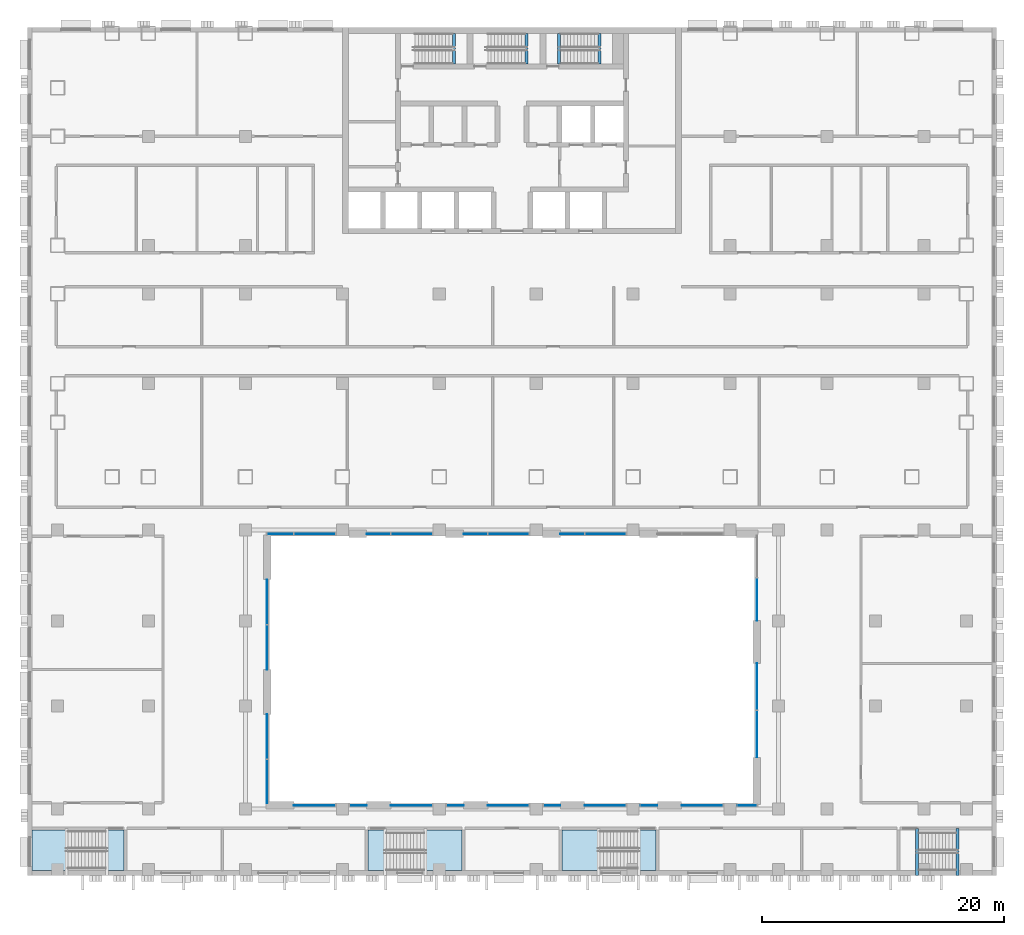
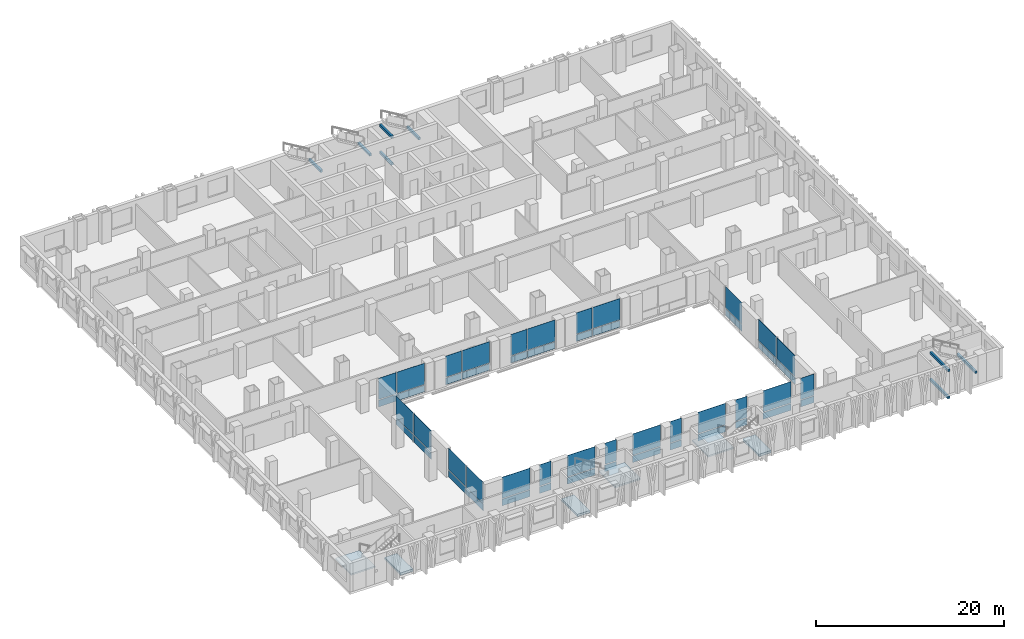
# One storey, part 5 of 24: 50 plates, 8 beams, 6 slabs, 21 elements without a shape of their own.
"""IFC4 building model written with IfcOpenShell, lengths in metres."""

from ifc_helpers import new_model, si_unit, direction, frame, origin, origin_2d, place, context, subcontext, project, spatial, polyline, rectangle, outline, extrude, material, layer, layer_set, material_profile, profile_set, type_object, element, aggregate, save


model = new_model("IFC4")

# Units and contexts
model_context = context("Model", 3, precision=1e-05, world=origin(), true_north=direction((0.0, 1.0)))
body_context = subcontext(model_context, "Body", "Model", "MODEL_VIEW")
ifc_project = project(units=[si_unit("LENGTHUNIT", "METRE"), si_unit("AREAUNIT", "SQUARE_METRE"), si_unit("VOLUMEUNIT", "CUBIC_METRE"), si_unit("PLANEANGLEUNIT", "RADIAN"), si_unit("MASSUNIT", "GRAM", prefix="KILO")], contexts=[model_context])

# Site, building, storey
site_placement = place(None, origin())
site = spatial("IfcSite", under=ifc_project, at=site_placement, CompositionType="ELEMENT")
building_placement = place(site_placement, origin())
building = spatial("IfcBuilding", under=site, at=building_placement, Name="Vidyagriha Tower", CompositionType="ELEMENT")
storey_placement = place(building_placement, frame((0.0, 0.0, 22.0)))
storey = spatial("IfcBuildingStorey", under=building, at=storey_placement, Name="L05", CompositionType="ELEMENT", Elevation=22.0)

# Beams
ifc_material_1 = material(Name="Concrete C40/50", Category="concrete")
ifc_material_profile = material_profile(ifc_material_1, rectangle(XDim=0.25, YDim=0.300048828125, at=origin_2d()), Name="Stair landing bearing beam 250x300")
ifc_profile_set = profile_set([ifc_material_profile], Name="Concrete C40/50")
beam_type = type_object("IfcBeamType", Name="Stair landing bearing beam 250x300", PredefinedType="BEAM", material=ifc_profile_set)
for number, where, z_axis, x_axis, name in (
    (1, (3.875, 16.949951171875, -0.449951171875), (0.0, 1.0, 0.0), (-1.0, 0.0, 0.0), "ST3 floor landing bearing beam L05"),
    (2, (3.875, 16.949951171875, 3.050048828125), (0.0, 1.0, 0.0), (-1.0, 0.0, 0.0), "ST3 floor landing bearing beam L06"),
    (3, (-4.794921875, 16.949951171875, 1.64990234375), (0.0, 1.0, 0.0), (-1.0, 0.0, 0.0), "ST1 landing bearing beam L05"),
    (4, (1.205078125, 16.949951171875, 1.64990234375), (0.0, 1.0, 0.0), (-1.0, 0.0, 0.0), "ST2 landing bearing beam L05"),
    (5, (7.205078125, 16.949951171875, 1.64990234375), (0.0, 1.0, 0.0), (-1.0, 0.0, 0.0), "ST3 landing bearing beam L05"),
):
    element("IfcBeam", number, at=place(storey_placement, frame(where, z_axis=z_axis, x_axis=x_axis)), inside=storey, type_object=beam_type, Name=name, PredefinedType="BEAM", context=body_context, shape_type="SweptSolid", body=[
        extrude(rectangle(XDim=0.25, YDim=0.300048828125, at=origin_2d()), origin(), (0.0, 0.0, 1.0), 2.550048828125),
    ])
for number, where, z_axis, x_axis, name in (
    (6, (33.419921875, -50.0, -0.449951171875), (0.0, 1.0, 0.0), (-1.0, 0.0, 0.0), "PS2 floor landing bearing beam L05"),
    (7, (36.760009765625, -50.0, 1.64990234375), (0.0, 1.0, 0.0), (-1.0, 0.0, 0.0), "PS2 landing bearing beam L05"),
    (8, (33.419921875, -50.0, 3.050048828125), (0.0, 1.0, 0.0), (-1.0, 0.0, 0.0), "PS2 floor landing bearing beam L06"),
):
    element("IfcBeam", number, at=place(storey_placement, frame(where, z_axis=z_axis, x_axis=x_axis)), inside=storey, type_object=beam_type, Name=name, PredefinedType="BEAM", context=body_context, shape_type="SweptSolid", body=[
        extrude(rectangle(XDim=0.25, YDim=0.300048828125, at=origin_2d()), origin(), (0.0, 0.0, 1.0), 3.89990234375),
    ])

# Curtain wall, plate
ifc_material_2 = material(Name="Aluminium and glass curtain wall", Category="aluminium")
curtain_wall_type = type_object("IfcCurtainWallType", Name="Atrium screen curtain wall", PredefinedType="USERDEFINED", material=ifc_material_2)
curtain_wall_1_placement = place(storey_placement, origin())
curtain_wall_1 = element("IfcCurtainWall", 9, at=curtain_wall_1_placement, inside=storey, type_object=curtain_wall_type, Name="CW6 atrium screen", ObjectType="UNITISED", PredefinedType="USERDEFINED")
ifc_material_3 = material(Name="Glass dark ceramic-fritted spandrel", Category="glass")
ifc_layer_1 = layer(ifc_material_3, 0.0400390625)
ifc_layer_set_1 = layer_set([ifc_layer_1], Name="Glass dark ceramic-fritted spandrel")
plate_type_1 = type_object("IfcPlateType", Name="Ceramic-fritted spandrel panel", PredefinedType="CURTAIN_PANEL", material=ifc_layer_set_1)
plate_1_placement = place(storey_placement, frame((19.405029296875, -44.199951171875, 0.0), z_axis=(0.0, 0.0, 1.0), x_axis=(-1.0, 0.0, 0.0)))
plate_1 = element("IfcPlate", 10, at=plate_1_placement, type_object=plate_type_1, Name="CW6 panel 1.1", PredefinedType="CURTAIN_PANEL", context=body_context, shape_type="SweptSolid", body=[
    extrude(rectangle(XDim=1.610107421875, YDim=0.0400390625, at=origin_2d()), origin(), (0.0, 0.0, 1.0), 0.85009765625),
])

curtain_wall_2_placement = place(storey_placement, origin())
curtain_wall_2 = element("IfcCurtainWall", 11, at=curtain_wall_2_placement, inside=storey, type_object=curtain_wall_type, Name="CW6 atrium screen", ObjectType="UNITISED", PredefinedType="USERDEFINED")
plate_2_placement = place(storey_placement, frame((15.699951171875, -44.199951171875, 0.0), z_axis=(0.0, 0.0, 1.0), x_axis=(-1.0, 0.0, 0.0)))
plate_2 = element("IfcPlate", 12, at=plate_2_placement, type_object=plate_type_1, Name="CW6 panel 1.1", PredefinedType="CURTAIN_PANEL", context=body_context, shape_type="SweptSolid", body=[
    extrude(rectangle(XDim=3.39990234375, YDim=0.0400390625, at=origin_2d()), origin(), (0.0, 0.0, 1.0), 0.85009765625),
])

curtain_wall_3_placement = place(storey_placement, origin())
curtain_wall_3 = element("IfcCurtainWall", 13, at=curtain_wall_3_placement, inside=storey, type_object=curtain_wall_type, Name="CW6 atrium screen", ObjectType="UNITISED", PredefinedType="USERDEFINED")
plate_3_placement = place(storey_placement, frame((11.300048828125, -44.199951171875, 0.0), z_axis=(0.0, 0.0, 1.0), x_axis=(-1.0, 0.0, 0.0)))
plate_3 = element("IfcPlate", 14, at=plate_3_placement, type_object=plate_type_1, Name="CW6 panel 1.1", PredefinedType="CURTAIN_PANEL", context=body_context, shape_type="SweptSolid", body=[
    extrude(rectangle(XDim=1.39990234375, YDim=0.0400390625, at=origin_2d()), origin(), (0.0, 0.0, 1.0), 0.85009765625),
])

curtain_wall_4_placement = place(storey_placement, origin())
curtain_wall_4 = element("IfcCurtainWall", 15, at=curtain_wall_4_placement, inside=storey, type_object=curtain_wall_type, Name="CW6 atrium screen", ObjectType="UNITISED", PredefinedType="USERDEFINED")
plate_4_placement = place(storey_placement, frame((7.699951171875, -44.199951171875, 0.0), z_axis=(0.0, 0.0, 1.0), x_axis=(-1.0, 0.0, 0.0)))
plate_4 = element("IfcPlate", 16, at=plate_4_placement, type_object=plate_type_1, Name="CW6 panel 1.1", PredefinedType="CURTAIN_PANEL", context=body_context, shape_type="SweptSolid", body=[
    extrude(rectangle(XDim=3.39990234375, YDim=0.0400390625, at=origin_2d()), origin(), (0.0, 0.0, 1.0), 0.85009765625),
])

curtain_wall_5_placement = place(storey_placement, origin())
curtain_wall_5 = element("IfcCurtainWall", 17, at=curtain_wall_5_placement, inside=storey, type_object=curtain_wall_type, Name="CW6 atrium screen", ObjectType="UNITISED", PredefinedType="USERDEFINED")
plate_5_placement = place(storey_placement, frame((3.300048828125, -44.199951171875, 0.0), z_axis=(0.0, 0.0, 1.0), x_axis=(-1.0, 0.0, 0.0)))
plate_5 = element("IfcPlate", 18, at=plate_5_placement, type_object=plate_type_1, Name="CW6 panel 1.1", PredefinedType="CURTAIN_PANEL", context=body_context, shape_type="SweptSolid", body=[
    extrude(rectangle(XDim=1.39990234375, YDim=0.0400390625, at=origin_2d()), origin(), (0.0, 0.0, 1.0), 0.85009765625),
])

curtain_wall_6_placement = place(storey_placement, origin())
curtain_wall_6 = element("IfcCurtainWall", 19, at=curtain_wall_6_placement, inside=storey, type_object=curtain_wall_type, Name="CW6 atrium screen", ObjectType="UNITISED", PredefinedType="USERDEFINED")
plate_6_placement = place(storey_placement, frame((-0.300048828125, -44.199951171875, 0.0), z_axis=(0.0, 0.0, 1.0), x_axis=(-1.0, 0.0, 0.0)))
plate_6 = element("IfcPlate", 20, at=plate_6_placement, type_object=plate_type_1, Name="CW6 panel 1.1", PredefinedType="CURTAIN_PANEL", context=body_context, shape_type="SweptSolid", body=[
    extrude(rectangle(XDim=3.39990234375, YDim=0.0400390625, at=origin_2d()), origin(), (0.0, 0.0, 1.0), 0.85009765625),
])

curtain_wall_7_placement = place(storey_placement, origin())
curtain_wall_7 = element("IfcCurtainWall", 21, at=curtain_wall_7_placement, inside=storey, type_object=curtain_wall_type, Name="CW6 atrium screen", ObjectType="UNITISED", PredefinedType="USERDEFINED")
plate_7_placement = place(storey_placement, frame((-4.699951171875, -44.199951171875, 0.0), z_axis=(0.0, 0.0, 1.0), x_axis=(-1.0, 0.0, 0.0)))
plate_7 = element("IfcPlate", 22, at=plate_7_placement, type_object=plate_type_1, Name="CW6 panel 1.1", PredefinedType="CURTAIN_PANEL", context=body_context, shape_type="SweptSolid", body=[
    extrude(rectangle(XDim=1.39990234375, YDim=0.0400390625, at=origin_2d()), origin(), (0.0, 0.0, 1.0), 0.85009765625),
])

curtain_wall_8_placement = place(storey_placement, origin())
curtain_wall_8 = element("IfcCurtainWall", 23, at=curtain_wall_8_placement, inside=storey, type_object=curtain_wall_type, Name="CW6 atrium screen", ObjectType="UNITISED", PredefinedType="USERDEFINED")
plate_8_placement = place(storey_placement, frame((-8.300048828125, -44.199951171875, 0.0), z_axis=(0.0, 0.0, 1.0), x_axis=(-1.0, 0.0, 0.0)))
plate_8 = element("IfcPlate", 24, at=plate_8_placement, type_object=plate_type_1, Name="CW6 panel 1.1", PredefinedType="CURTAIN_PANEL", context=body_context, shape_type="SweptSolid", body=[
    extrude(rectangle(XDim=3.39990234375, YDim=0.0400390625, at=origin_2d()), origin(), (0.0, 0.0, 1.0), 0.85009765625),
])

curtain_wall_9_placement = place(storey_placement, origin())
curtain_wall_9 = element("IfcCurtainWall", 25, at=curtain_wall_9_placement, inside=storey, type_object=curtain_wall_type, Name="CW6 atrium screen", ObjectType="UNITISED", PredefinedType="USERDEFINED")
plate_9_placement = place(storey_placement, frame((-12.699951171875, -44.199951171875, 0.0), z_axis=(0.0, 0.0, 1.0), x_axis=(-1.0, 0.0, 0.0)))
plate_9 = element("IfcPlate", 26, at=plate_9_placement, type_object=plate_type_1, Name="CW6 panel 1.1", PredefinedType="CURTAIN_PANEL", context=body_context, shape_type="SweptSolid", body=[
    extrude(rectangle(XDim=1.39990234375, YDim=0.0400390625, at=origin_2d()), origin(), (0.0, 0.0, 1.0), 0.85009765625),
])

curtain_wall_10_placement = place(storey_placement, origin())
curtain_wall_10 = element("IfcCurtainWall", 27, at=curtain_wall_10_placement, inside=storey, type_object=curtain_wall_type, Name="CW6 atrium screen", ObjectType="UNITISED", PredefinedType="USERDEFINED")
plate_10_placement = place(storey_placement, frame((-16.300048828125, -44.199951171875, 0.0), z_axis=(0.0, 0.0, 1.0), x_axis=(-1.0, 0.0, 0.0)))
plate_10 = element("IfcPlate", 28, at=plate_10_placement, type_object=plate_type_1, Name="CW6 panel 1.1", PredefinedType="CURTAIN_PANEL", context=body_context, shape_type="SweptSolid", body=[
    extrude(rectangle(XDim=3.39990234375, YDim=0.0400390625, at=origin_2d()), origin(), (0.0, 0.0, 1.0), 0.85009765625),
])

# Curtain wall, plates
curtain_wall_11_placement = place(storey_placement, origin())
curtain_wall_11 = element("IfcCurtainWall", 29, at=curtain_wall_11_placement, inside=storey, type_object=curtain_wall_type, Name="CW6 atrium screen", ObjectType="UNITISED", PredefinedType="USERDEFINED")
plate_11_placement = place(storey_placement, frame((-20.199951171875, -42.249267578125, 0.0), z_axis=(0.0, 0.0, 1.0), x_axis=(0.0, 1.0, 0.0)))
plate_11 = element("IfcPlate", 30, at=plate_11_placement, type_object=plate_type_1, Name="CW6 panel 1.1", PredefinedType="CURTAIN_PANEL", context=body_context, shape_type="SweptSolid", body=[
    extrude(rectangle(XDim=3.601806640625, YDim=0.0400390625, at=origin_2d()), origin(), (0.0, 0.0, 1.0), 0.85009765625),
])
plate_12_placement = place(storey_placement, frame((-20.199951171875, -38.54248046875, 0.0), z_axis=(0.0, 0.0, 1.0), x_axis=(0.0, 1.0, 0.0)))
plate_12 = element("IfcPlate", 31, at=plate_12_placement, type_object=plate_type_1, Name="CW6 panel 2.1", PredefinedType="CURTAIN_PANEL", context=body_context, shape_type="SweptSolid", body=[
    extrude(rectangle(XDim=3.671630859375, YDim=0.0400390625, at=origin_2d()), origin(), (0.0, 0.0, 1.0), 0.85009765625),
])

curtain_wall_12_placement = place(storey_placement, origin())
curtain_wall_12 = element("IfcCurtainWall", 32, at=curtain_wall_12_placement, inside=storey, type_object=curtain_wall_type, Name="CW6 atrium screen", ObjectType="UNITISED", PredefinedType="USERDEFINED")
plate_13_placement = place(storey_placement, frame((-20.199951171875, -31.1640625, 0.0), z_axis=(0.0, 0.0, 1.0), x_axis=(0.0, 1.0, 0.0)))
plate_13 = element("IfcPlate", 33, at=plate_13_placement, type_object=plate_type_1, Name="CW6 panel 1.1", PredefinedType="CURTAIN_PANEL", context=body_context, shape_type="SweptSolid", body=[
    extrude(rectangle(XDim=3.671630859375, YDim=0.0400390625, at=origin_2d()), origin(), (0.0, 0.0, 1.0), 0.85009765625),
])
plate_14_placement = place(storey_placement, frame((-20.199951171875, -27.422607421875, 0.0), z_axis=(0.0, 0.0, 1.0), x_axis=(0.0, 1.0, 0.0)))
plate_14 = element("IfcPlate", 34, at=plate_14_placement, type_object=plate_type_1, Name="CW6 panel 2.1", PredefinedType="CURTAIN_PANEL", context=body_context, shape_type="SweptSolid", body=[
    extrude(rectangle(XDim=3.671630859375, YDim=0.0400390625, at=origin_2d()), origin(), (0.0, 0.0, 1.0), 0.85009765625),
])

curtain_wall_13_placement = place(storey_placement, origin())
curtain_wall_13 = element("IfcCurtainWall", 35, at=curtain_wall_13_placement, inside=storey, type_object=curtain_wall_type, Name="CW6 atrium screen", ObjectType="UNITISED", PredefinedType="USERDEFINED")
plate_15_placement = place(storey_placement, frame((-19.12255859375, -21.800048828125, 0.0)))
plate_15 = element("IfcPlate", 36, at=plate_15_placement, type_object=plate_type_1, Name="CW6 panel 1.1", PredefinedType="CURTAIN_PANEL", context=body_context, shape_type="SweptSolid", body=[
    extrude(rectangle(XDim=2.175048828125, YDim=0.0400390625, at=origin_2d()), origin(), (0.0, 0.0, 1.0), 0.85009765625),
])
plate_16_placement = place(storey_placement, frame((-16.282470703125, -21.800048828125, 0.0)))
plate_16 = element("IfcPlate", 37, at=plate_16_placement, type_object=plate_type_1, Name="CW6 panel 2.1", PredefinedType="CURTAIN_PANEL", context=body_context, shape_type="SweptSolid", body=[
    extrude(rectangle(XDim=3.364990234375, YDim=0.0400390625, at=origin_2d()), origin(), (0.0, 0.0, 1.0), 0.85009765625),
])

curtain_wall_14_placement = place(storey_placement, origin())
curtain_wall_14 = element("IfcCurtainWall", 38, at=curtain_wall_14_placement, inside=storey, type_object=curtain_wall_type, Name="CW6 atrium screen", ObjectType="UNITISED", PredefinedType="USERDEFINED")
plate_17_placement = place(storey_placement, frame((-11.017578125, -21.800048828125, 0.0)))
plate_17 = element("IfcPlate", 39, at=plate_17_placement, type_object=plate_type_1, Name="CW6 panel 1.1", PredefinedType="CURTAIN_PANEL", context=body_context, shape_type="SweptSolid", body=[
    extrude(rectangle(XDim=1.965087890625, YDim=0.0400390625, at=origin_2d()), origin(), (0.0, 0.0, 1.0), 0.85009765625),
])
plate_18_placement = place(storey_placement, frame((-8.282470703125, -21.800048828125, 0.0)))
plate_18 = element("IfcPlate", 40, at=plate_18_placement, type_object=plate_type_1, Name="CW6 panel 2.1", PredefinedType="CURTAIN_PANEL", context=body_context, shape_type="SweptSolid", body=[
    extrude(rectangle(XDim=3.364990234375, YDim=0.0400390625, at=origin_2d()), origin(), (0.0, 0.0, 1.0), 0.85009765625),
])

curtain_wall_15_placement = place(storey_placement, origin())
curtain_wall_15 = element("IfcCurtainWall", 41, at=curtain_wall_15_placement, inside=storey, type_object=curtain_wall_type, Name="CW6 atrium screen", ObjectType="UNITISED", PredefinedType="USERDEFINED")
plate_19_placement = place(storey_placement, frame((-3.017578125, -21.800048828125, 0.0)))
plate_19 = element("IfcPlate", 42, at=plate_19_placement, type_object=plate_type_1, Name="CW6 panel 1.1", PredefinedType="CURTAIN_PANEL", context=body_context, shape_type="SweptSolid", body=[
    extrude(rectangle(XDim=1.965087890625, YDim=0.0400390625, at=origin_2d()), origin(), (0.0, 0.0, 1.0), 0.85009765625),
])
plate_20_placement = place(storey_placement, frame((-0.282470703125, -21.800048828125, 0.0)))
plate_20 = element("IfcPlate", 43, at=plate_20_placement, type_object=plate_type_1, Name="CW6 panel 2.1", PredefinedType="CURTAIN_PANEL", context=body_context, shape_type="SweptSolid", body=[
    extrude(rectangle(XDim=3.364990234375, YDim=0.0400390625, at=origin_2d()), origin(), (0.0, 0.0, 1.0), 0.85009765625),
])

curtain_wall_16_placement = place(storey_placement, origin())
curtain_wall_16 = element("IfcCurtainWall", 44, at=curtain_wall_16_placement, inside=storey, type_object=curtain_wall_type, Name="CW6 atrium screen", ObjectType="UNITISED", PredefinedType="USERDEFINED")
plate_21_placement = place(storey_placement, frame((4.982421875, -21.800048828125, 0.0)))
plate_21 = element("IfcPlate", 45, at=plate_21_placement, type_object=plate_type_1, Name="CW6 panel 1.1", PredefinedType="CURTAIN_PANEL", context=body_context, shape_type="SweptSolid", body=[
    extrude(rectangle(XDim=1.965087890625, YDim=0.0400390625, at=origin_2d()), origin(), (0.0, 0.0, 1.0), 0.85009765625),
])
plate_22_placement = place(storey_placement, frame((7.717529296875, -21.800048828125, 0.0)))
plate_22 = element("IfcPlate", 46, at=plate_22_placement, type_object=plate_type_1, Name="CW6 panel 2.1", PredefinedType="CURTAIN_PANEL", context=body_context, shape_type="SweptSolid", body=[
    extrude(rectangle(XDim=3.364990234375, YDim=0.0400390625, at=origin_2d()), origin(), (0.0, 0.0, 1.0), 0.85009765625),
])

# Curtain wall, plate
curtain_wall_17_placement = place(storey_placement, origin())
curtain_wall_17 = element("IfcCurtainWall", 47, at=curtain_wall_17_placement, inside=storey, type_object=curtain_wall_type, Name="CW6 atrium screen", ObjectType="UNITISED", PredefinedType="USERDEFINED")
plate_23_placement = place(storey_placement, frame((20.199951171875, -27.20751953125, 0.0), z_axis=(0.0, 0.0, 1.0), x_axis=(0.0, -1.0, 0.0)))
plate_23 = element("IfcPlate", 48, at=plate_23_placement, type_object=plate_type_1, Name="CW6 panel 2.1", PredefinedType="CURTAIN_PANEL", context=body_context, shape_type="SweptSolid", body=[
    extrude(rectangle(XDim=3.5048828125, YDim=0.0400390625, at=origin_2d()), origin(), (0.0, 0.0, 1.0), 0.85009765625),
])

# Curtain wall, plates
curtain_wall_18_placement = place(storey_placement, origin())
curtain_wall_18 = element("IfcCurtainWall", 49, at=curtain_wall_18_placement, inside=storey, type_object=curtain_wall_type, Name="CW6 atrium screen", ObjectType="UNITISED", PredefinedType="USERDEFINED")
plate_24_placement = place(storey_placement, frame((20.199951171875, -34.419189453125, 0.0), z_axis=(0.0, 0.0, 1.0), x_axis=(0.0, -1.0, 0.0)))
plate_24 = element("IfcPlate", 50, at=plate_24_placement, type_object=plate_type_1, Name="CW6 panel 1.1", PredefinedType="CURTAIN_PANEL", context=body_context, shape_type="SweptSolid", body=[
    extrude(rectangle(XDim=3.83837890625, YDim=0.0400390625, at=origin_2d()), origin(), (0.0, 0.0, 1.0), 0.85009765625),
])
plate_25_placement = place(storey_placement, frame((20.199951171875, -38.327392578125, 0.0), z_axis=(0.0, 0.0, 1.0), x_axis=(0.0, -1.0, 0.0)))
plate_25 = element("IfcPlate", 51, at=plate_25_placement, type_object=plate_type_1, Name="CW6 panel 2.1", PredefinedType="CURTAIN_PANEL", context=body_context, shape_type="SweptSolid", body=[
    extrude(rectangle(XDim=3.83837890625, YDim=0.0400390625, at=origin_2d()), origin(), (0.0, 0.0, 1.0), 0.85009765625),
])

# Plate
ifc_material_4 = material(Name="Glass dark ceramic-fritted", Category="glass")
ifc_layer_2 = layer(ifc_material_4, 0.028076171875)
ifc_layer_set_2 = layer_set([ifc_layer_2], Name="Glass dark ceramic-fritted")
plate_type_2 = type_object("IfcPlateType", Name="Dark ceramic-fritted vision glass panel", PredefinedType="CURTAIN_PANEL", material=ifc_layer_set_2)
plate_26_placement = place(storey_placement, frame((19.405029296875, -44.199951171875, 0.949951171875), z_axis=(0.0, 0.0, 1.0), x_axis=(-1.0, 0.0, 0.0)))
plate_26 = element("IfcPlate", 52, at=plate_26_placement, type_object=plate_type_2, Name="CW6 panel 1.2", PredefinedType="CURTAIN_PANEL", context=body_context, shape_type="SweptSolid", body=[
    extrude(rectangle(XDim=1.610107421875, YDim=0.028076171875, at=origin_2d()), origin(), (0.0, 0.0, 1.0), 2.75),
])

aggregate(curtain_wall_1, [plate_1, plate_26])

plate_27_placement = place(storey_placement, frame((15.699951171875, -44.199951171875, 0.949951171875), z_axis=(0.0, 0.0, 1.0), x_axis=(-1.0, 0.0, 0.0)))
plate_27 = element("IfcPlate", 53, at=plate_27_placement, type_object=plate_type_2, Name="CW6 panel 1.2", PredefinedType="CURTAIN_PANEL", context=body_context, shape_type="SweptSolid", body=[
    extrude(rectangle(XDim=3.39990234375, YDim=0.028076171875, at=origin_2d()), origin(), (0.0, 0.0, 1.0), 2.75),
])

aggregate(curtain_wall_2, [plate_2, plate_27])

plate_28_placement = place(storey_placement, frame((11.300048828125, -44.199951171875, 0.949951171875), z_axis=(0.0, 0.0, 1.0), x_axis=(-1.0, 0.0, 0.0)))
plate_28 = element("IfcPlate", 54, at=plate_28_placement, type_object=plate_type_2, Name="CW6 panel 1.2", PredefinedType="CURTAIN_PANEL", context=body_context, shape_type="SweptSolid", body=[
    extrude(rectangle(XDim=1.39990234375, YDim=0.028076171875, at=origin_2d()), origin(), (0.0, 0.0, 1.0), 2.75),
])

aggregate(curtain_wall_3, [plate_3, plate_28])

plate_29_placement = place(storey_placement, frame((7.699951171875, -44.199951171875, 0.949951171875), z_axis=(0.0, 0.0, 1.0), x_axis=(-1.0, 0.0, 0.0)))
plate_29 = element("IfcPlate", 55, at=plate_29_placement, type_object=plate_type_2, Name="CW6 panel 1.2", PredefinedType="CURTAIN_PANEL", context=body_context, shape_type="SweptSolid", body=[
    extrude(rectangle(XDim=3.39990234375, YDim=0.028076171875, at=origin_2d()), origin(), (0.0, 0.0, 1.0), 2.75),
])

aggregate(curtain_wall_4, [plate_4, plate_29])

plate_30_placement = place(storey_placement, frame((3.300048828125, -44.199951171875, 0.949951171875), z_axis=(0.0, 0.0, 1.0), x_axis=(-1.0, 0.0, 0.0)))
plate_30 = element("IfcPlate", 56, at=plate_30_placement, type_object=plate_type_2, Name="CW6 panel 1.2", PredefinedType="CURTAIN_PANEL", context=body_context, shape_type="SweptSolid", body=[
    extrude(rectangle(XDim=1.39990234375, YDim=0.028076171875, at=origin_2d()), origin(), (0.0, 0.0, 1.0), 2.75),
])

aggregate(curtain_wall_5, [plate_5, plate_30])

plate_31_placement = place(storey_placement, frame((-0.300048828125, -44.199951171875, 0.949951171875), z_axis=(0.0, 0.0, 1.0), x_axis=(-1.0, 0.0, 0.0)))
plate_31 = element("IfcPlate", 57, at=plate_31_placement, type_object=plate_type_2, Name="CW6 panel 1.2", PredefinedType="CURTAIN_PANEL", context=body_context, shape_type="SweptSolid", body=[
    extrude(rectangle(XDim=3.39990234375, YDim=0.028076171875, at=origin_2d()), origin(), (0.0, 0.0, 1.0), 2.75),
])

aggregate(curtain_wall_6, [plate_6, plate_31])

plate_32_placement = place(storey_placement, frame((-4.699951171875, -44.199951171875, 0.949951171875), z_axis=(0.0, 0.0, 1.0), x_axis=(-1.0, 0.0, 0.0)))
plate_32 = element("IfcPlate", 58, at=plate_32_placement, type_object=plate_type_2, Name="CW6 panel 1.2", PredefinedType="CURTAIN_PANEL", context=body_context, shape_type="SweptSolid", body=[
    extrude(rectangle(XDim=1.39990234375, YDim=0.028076171875, at=origin_2d()), origin(), (0.0, 0.0, 1.0), 2.75),
])

aggregate(curtain_wall_7, [plate_7, plate_32])

plate_33_placement = place(storey_placement, frame((-8.300048828125, -44.199951171875, 0.949951171875), z_axis=(0.0, 0.0, 1.0), x_axis=(-1.0, 0.0, 0.0)))
plate_33 = element("IfcPlate", 59, at=plate_33_placement, type_object=plate_type_2, Name="CW6 panel 1.2", PredefinedType="CURTAIN_PANEL", context=body_context, shape_type="SweptSolid", body=[
    extrude(rectangle(XDim=3.39990234375, YDim=0.028076171875, at=origin_2d()), origin(), (0.0, 0.0, 1.0), 2.75),
])

aggregate(curtain_wall_8, [plate_8, plate_33])

plate_34_placement = place(storey_placement, frame((-12.699951171875, -44.199951171875, 0.949951171875), z_axis=(0.0, 0.0, 1.0), x_axis=(-1.0, 0.0, 0.0)))
plate_34 = element("IfcPlate", 60, at=plate_34_placement, type_object=plate_type_2, Name="CW6 panel 1.2", PredefinedType="CURTAIN_PANEL", context=body_context, shape_type="SweptSolid", body=[
    extrude(rectangle(XDim=1.39990234375, YDim=0.028076171875, at=origin_2d()), origin(), (0.0, 0.0, 1.0), 2.75),
])

aggregate(curtain_wall_9, [plate_9, plate_34])

plate_35_placement = place(storey_placement, frame((-16.300048828125, -44.199951171875, 0.949951171875), z_axis=(0.0, 0.0, 1.0), x_axis=(-1.0, 0.0, 0.0)))
plate_35 = element("IfcPlate", 61, at=plate_35_placement, type_object=plate_type_2, Name="CW6 panel 1.2", PredefinedType="CURTAIN_PANEL", context=body_context, shape_type="SweptSolid", body=[
    extrude(rectangle(XDim=3.39990234375, YDim=0.028076171875, at=origin_2d()), origin(), (0.0, 0.0, 1.0), 2.75),
])

aggregate(curtain_wall_10, [plate_10, plate_35])

plate_36_placement = place(storey_placement, frame((-20.199951171875, -42.249267578125, 0.949951171875), z_axis=(0.0, 0.0, 1.0), x_axis=(0.0, 1.0, 0.0)))
plate_36 = element("IfcPlate", 62, at=plate_36_placement, type_object=plate_type_2, Name="CW6 panel 1.2", PredefinedType="CURTAIN_PANEL", context=body_context, shape_type="SweptSolid", body=[
    extrude(rectangle(XDim=3.601806640625, YDim=0.028076171875, at=origin_2d()), origin(), (0.0, 0.0, 1.0), 2.75),
])

plate_37_placement = place(storey_placement, frame((-20.199951171875, -38.54248046875, 0.949951171875), z_axis=(0.0, 0.0, 1.0), x_axis=(0.0, 1.0, 0.0)))
plate_37 = element("IfcPlate", 63, at=plate_37_placement, type_object=plate_type_2, Name="CW6 panel 2.2", PredefinedType="CURTAIN_PANEL", context=body_context, shape_type="SweptSolid", body=[
    extrude(rectangle(XDim=3.671630859375, YDim=0.028076171875, at=origin_2d()), origin(), (0.0, 0.0, 1.0), 2.75),
])

aggregate(curtain_wall_11, [plate_11, plate_36, plate_12, plate_37])

plate_38_placement = place(storey_placement, frame((-20.199951171875, -31.1640625, 0.949951171875), z_axis=(0.0, 0.0, 1.0), x_axis=(0.0, 1.0, 0.0)))
plate_38 = element("IfcPlate", 64, at=plate_38_placement, type_object=plate_type_2, Name="CW6 panel 1.2", PredefinedType="CURTAIN_PANEL", context=body_context, shape_type="SweptSolid", body=[
    extrude(rectangle(XDim=3.671630859375, YDim=0.028076171875, at=origin_2d()), origin(), (0.0, 0.0, 1.0), 2.75),
])

plate_39_placement = place(storey_placement, frame((-20.199951171875, -27.422607421875, 0.949951171875), z_axis=(0.0, 0.0, 1.0), x_axis=(0.0, 1.0, 0.0)))
plate_39 = element("IfcPlate", 65, at=plate_39_placement, type_object=plate_type_2, Name="CW6 panel 2.2", PredefinedType="CURTAIN_PANEL", context=body_context, shape_type="SweptSolid", body=[
    extrude(rectangle(XDim=3.671630859375, YDim=0.028076171875, at=origin_2d()), origin(), (0.0, 0.0, 1.0), 2.75),
])

aggregate(curtain_wall_12, [plate_13, plate_38, plate_14, plate_39])

plate_40_placement = place(storey_placement, frame((-19.12255859375, -21.800048828125, 0.949951171875)))
plate_40 = element("IfcPlate", 66, at=plate_40_placement, type_object=plate_type_2, Name="CW6 panel 1.2", PredefinedType="CURTAIN_PANEL", context=body_context, shape_type="SweptSolid", body=[
    extrude(rectangle(XDim=2.175048828125, YDim=0.028076171875, at=origin_2d()), origin(), (0.0, 0.0, 1.0), 2.75),
])

plate_41_placement = place(storey_placement, frame((-16.282470703125, -21.800048828125, 0.949951171875)))
plate_41 = element("IfcPlate", 67, at=plate_41_placement, type_object=plate_type_2, Name="CW6 panel 2.2", PredefinedType="CURTAIN_PANEL", context=body_context, shape_type="SweptSolid", body=[
    extrude(rectangle(XDim=3.364990234375, YDim=0.028076171875, at=origin_2d()), origin(), (0.0, 0.0, 1.0), 2.75),
])

aggregate(curtain_wall_13, [plate_15, plate_40, plate_16, plate_41])

plate_42_placement = place(storey_placement, frame((-11.017578125, -21.800048828125, 0.949951171875)))
plate_42 = element("IfcPlate", 68, at=plate_42_placement, type_object=plate_type_2, Name="CW6 panel 1.2", PredefinedType="CURTAIN_PANEL", context=body_context, shape_type="SweptSolid", body=[
    extrude(rectangle(XDim=1.965087890625, YDim=0.028076171875, at=origin_2d()), origin(), (0.0, 0.0, 1.0), 2.75),
])

plate_43_placement = place(storey_placement, frame((-8.282470703125, -21.800048828125, 0.949951171875)))
plate_43 = element("IfcPlate", 69, at=plate_43_placement, type_object=plate_type_2, Name="CW6 panel 2.2", PredefinedType="CURTAIN_PANEL", context=body_context, shape_type="SweptSolid", body=[
    extrude(rectangle(XDim=3.364990234375, YDim=0.028076171875, at=origin_2d()), origin(), (0.0, 0.0, 1.0), 2.75),
])

aggregate(curtain_wall_14, [plate_17, plate_42, plate_18, plate_43])

plate_44_placement = place(storey_placement, frame((-3.017578125, -21.800048828125, 0.949951171875)))
plate_44 = element("IfcPlate", 70, at=plate_44_placement, type_object=plate_type_2, Name="CW6 panel 1.2", PredefinedType="CURTAIN_PANEL", context=body_context, shape_type="SweptSolid", body=[
    extrude(rectangle(XDim=1.965087890625, YDim=0.028076171875, at=origin_2d()), origin(), (0.0, 0.0, 1.0), 2.75),
])

plate_45_placement = place(storey_placement, frame((-0.282470703125, -21.800048828125, 0.949951171875)))
plate_45 = element("IfcPlate", 71, at=plate_45_placement, type_object=plate_type_2, Name="CW6 panel 2.2", PredefinedType="CURTAIN_PANEL", context=body_context, shape_type="SweptSolid", body=[
    extrude(rectangle(XDim=3.364990234375, YDim=0.028076171875, at=origin_2d()), origin(), (0.0, 0.0, 1.0), 2.75),
])

aggregate(curtain_wall_15, [plate_19, plate_44, plate_20, plate_45])

plate_46_placement = place(storey_placement, frame((4.982421875, -21.800048828125, 0.949951171875)))
plate_46 = element("IfcPlate", 72, at=plate_46_placement, type_object=plate_type_2, Name="CW6 panel 1.2", PredefinedType="CURTAIN_PANEL", context=body_context, shape_type="SweptSolid", body=[
    extrude(rectangle(XDim=1.965087890625, YDim=0.028076171875, at=origin_2d()), origin(), (0.0, 0.0, 1.0), 2.75),
])

plate_47_placement = place(storey_placement, frame((7.717529296875, -21.800048828125, 0.949951171875)))
plate_47 = element("IfcPlate", 73, at=plate_47_placement, type_object=plate_type_2, Name="CW6 panel 2.2", PredefinedType="CURTAIN_PANEL", context=body_context, shape_type="SweptSolid", body=[
    extrude(rectangle(XDim=3.364990234375, YDim=0.028076171875, at=origin_2d()), origin(), (0.0, 0.0, 1.0), 2.75),
])

aggregate(curtain_wall_16, [plate_21, plate_46, plate_22, plate_47])

plate_48_placement = place(storey_placement, frame((20.199951171875, -27.20751953125, 0.949951171875), z_axis=(0.0, 0.0, 1.0), x_axis=(0.0, -1.0, 0.0)))
plate_48 = element("IfcPlate", 74, at=plate_48_placement, type_object=plate_type_2, Name="CW6 panel 2.2", PredefinedType="CURTAIN_PANEL", context=body_context, shape_type="SweptSolid", body=[
    extrude(rectangle(XDim=3.5048828125, YDim=0.028076171875, at=origin_2d()), origin(), (0.0, 0.0, 1.0), 2.75),
])

aggregate(curtain_wall_17, [plate_23, plate_48])

plate_49_placement = place(storey_placement, frame((20.199951171875, -34.419189453125, 0.949951171875), z_axis=(0.0, 0.0, 1.0), x_axis=(0.0, -1.0, 0.0)))
plate_49 = element("IfcPlate", 75, at=plate_49_placement, type_object=plate_type_2, Name="CW6 panel 1.2", PredefinedType="CURTAIN_PANEL", context=body_context, shape_type="SweptSolid", body=[
    extrude(rectangle(XDim=3.83837890625, YDim=0.028076171875, at=origin_2d()), origin(), (0.0, 0.0, 1.0), 2.75),
])

plate_50_placement = place(storey_placement, frame((20.199951171875, -38.327392578125, 0.949951171875), z_axis=(0.0, 0.0, 1.0), x_axis=(0.0, -1.0, 0.0)))
plate_50 = element("IfcPlate", 76, at=plate_50_placement, type_object=plate_type_2, Name="CW6 panel 2.2", PredefinedType="CURTAIN_PANEL", context=body_context, shape_type="SweptSolid", body=[
    extrude(rectangle(XDim=3.83837890625, YDim=0.028076171875, at=origin_2d()), origin(), (0.0, 0.0, 1.0), 2.75),
])

aggregate(curtain_wall_18, [plate_24, plate_49, plate_25, plate_50])

# Stair, slab
ifc_material_5 = material(Name="Concrete C32/40", Category="concrete")
stair_type = type_object("IfcStairType", Name="Podium Exit Stair 1500", PredefinedType="HALF_TURN_STAIR", material=ifc_material_5)
stair_1_placement = place(storey_placement, origin())
stair_1 = element("IfcStair", 77, at=stair_1_placement, inside=storey, type_object=stair_type, Name="L05 Exit Stair PS1", PredefinedType="HALF_TURN_STAIR")
ifc_material_6 = material(Name="Concrete C32/40", Category="concrete")
ifc_layer_3 = layer(ifc_material_6, 0.199951171875)
ifc_layer_set_3 = layer_set([ifc_layer_3], Name="Concrete C32/40")
slab_type_1 = type_object("IfcSlabType", Name="Podium Stair Landing 200", PredefinedType="LANDING", material=ifc_layer_set_3)
slab_1_placement = place(storey_placement, frame((0.0, 0.0, 1.800048828125)))
slab_1 = element("IfcSlab", 78, at=slab_1_placement, type_object=slab_type_1, Name="PS1 landing 1", PredefinedType="LANDING", context=body_context, shape_type="SweptSolid", body=[
    extrude(outline(polyline([(-36.625, -46.22509765625), (-39.60009765625, -46.22509765625), (-39.60009765625, -49.60009765625), (-36.625, -49.60009765625), (-36.625, -46.22509765625)])), origin(), (0.0, 0.0, 1.0), 0.199951171875),
])
aggregate(stair_1, [slab_1])

stair_2_placement = place(storey_placement, origin())
stair_2 = element("IfcStair", 79, at=stair_2_placement, inside=storey, type_object=stair_type, Name="L05 Exit Stair PS3", PredefinedType="HALF_TURN_STAIR")
slab_2_placement = place(storey_placement, frame((0.0, 0.0, 1.800048828125)))
slab_2 = element("IfcSlab", 80, at=slab_2_placement, type_object=slab_type_1, Name="PS3 landing 1", PredefinedType="LANDING", context=body_context, shape_type="SweptSolid", body=[
    extrude(outline(polyline([(-7.27490234375, -49.60009765625), (-4.125, -49.60009765625), (-4.125, -46.22509765625), (-7.27490234375, -46.22509765625), (-7.27490234375, -49.60009765625)])), origin(), (0.0, 0.0, 1.0), 0.199951171875),
])
aggregate(stair_2, [slab_2])

stair_3_placement = place(storey_placement, origin())
stair_3 = element("IfcStair", 81, at=stair_3_placement, inside=storey, type_object=stair_type, Name="L05 Exit Stair PS4", PredefinedType="HALF_TURN_STAIR")
slab_3_placement = place(storey_placement, frame((0.0, 0.0, 1.800048828125)))
slab_3 = element("IfcSlab", 82, at=slab_3_placement, type_object=slab_type_1, Name="PS4 landing 1", PredefinedType="LANDING", context=body_context, shape_type="SweptSolid", body=[
    extrude(outline(polyline([(7.27490234375, -46.22509765625), (4.125, -46.22509765625), (4.125, -49.60009765625), (7.27490234375, -49.60009765625), (7.27490234375, -46.22509765625)])), origin(), (0.0, 0.0, 1.0), 0.199951171875),
])
aggregate(stair_3, [slab_3])

# Slabs
ifc_material_7 = material(Name="Concrete C32/40", Category="concrete")
ifc_layer_4 = layer(ifc_material_7, 0.300048828125)
ifc_layer_set_4 = layer_set([ifc_layer_4], Name="Concrete C32/40")
slab_type_2 = type_object("IfcSlabType", Name="Podium stair floor landing 300 mm", PredefinedType="LANDING", material=ifc_layer_set_4)
slab_4_placement = place(storey_placement, frame((0.0, 0.0, -0.300048828125)))
element("IfcSlab", 83, at=slab_4_placement, inside=storey, type_object=slab_type_2, Name="PS1 floor landing L05", PredefinedType="LANDING", context=body_context, shape_type="SweptSolid", body=[
    extrude(outline(polyline([(-33.544921875, -49.60009765625), (-32.02490234375, -49.60009765625), (-32.02490234375, -46.22509765625), (-33.544921875, -46.22509765625), (-33.544921875, -49.60009765625)])), origin(), (0.0, 0.0, 1.0), 0.300048828125),
])
slab_5_placement = place(storey_placement, frame((0.0, 0.0, -0.300048828125)))
element("IfcSlab", 84, at=slab_5_placement, inside=storey, type_object=slab_type_2, Name="PS3 floor landing L05", PredefinedType="LANDING", context=body_context, shape_type="SweptSolid", body=[
    extrude(outline(polyline([(-11.875, -49.60009765625), (-10.35498046875, -49.60009765625), (-10.35498046875, -46.22509765625), (-11.875, -46.22509765625), (-11.875, -49.60009765625)])), origin(), (0.0, 0.0, 1.0), 0.300048828125),
])
slab_6_placement = place(storey_placement, frame((0.0, 0.0, -0.300048828125)))
element("IfcSlab", 85, at=slab_6_placement, inside=storey, type_object=slab_type_2, Name="PS4 floor landing L05", PredefinedType="LANDING", context=body_context, shape_type="SweptSolid", body=[
    extrude(outline(polyline([(10.35498046875, -49.60009765625), (11.875, -49.60009765625), (11.875, -46.22509765625), (10.35498046875, -46.22509765625), (10.35498046875, -49.60009765625)])), origin(), (0.0, 0.0, 1.0), 0.300048828125),
])

save(model, "model.ifc")
